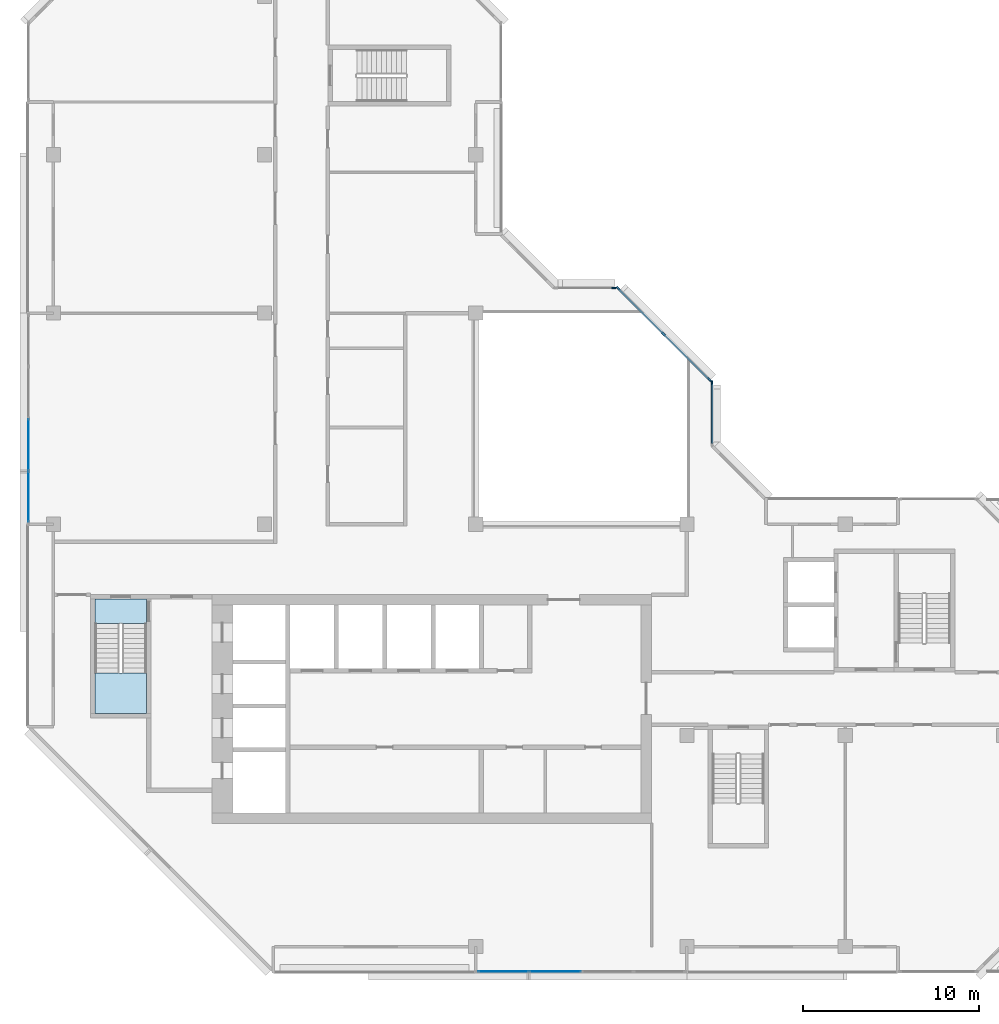
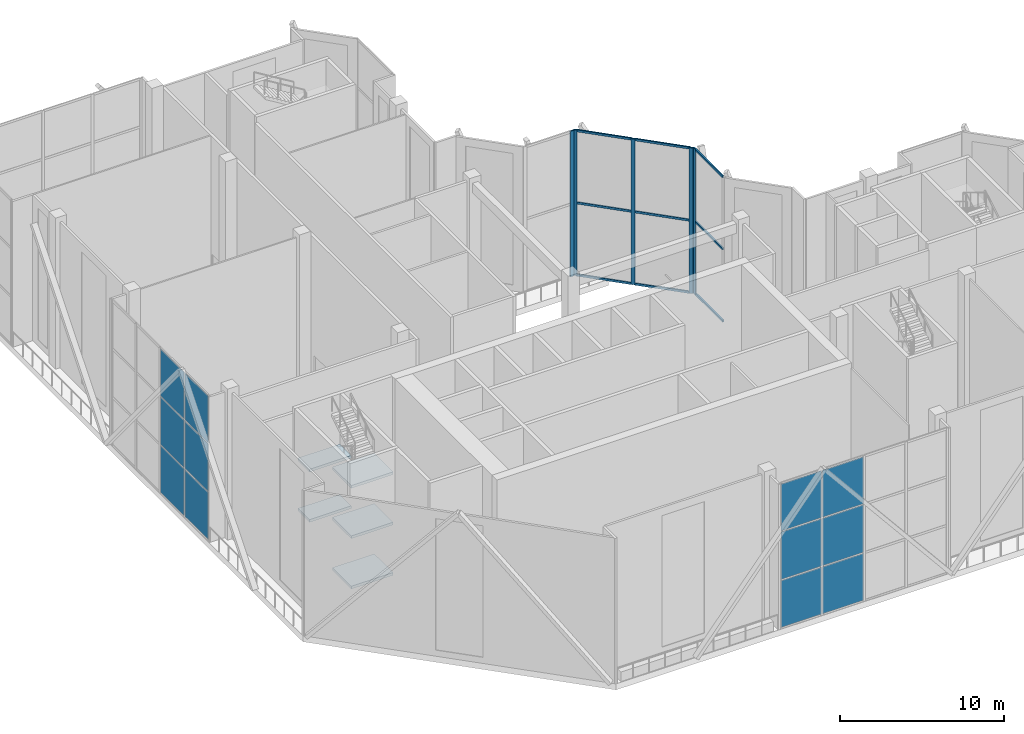
# One storey, part 6 of 16: 14 members, 12 plates, 5 slabs, 6 elements without a shape of their own.
"""IFC4 building model written with IfcOpenShell, lengths in metres."""

from ifc_helpers import new_model, si_unit, direction, frame, origin, origin_2d, place, context, subcontext, project, spatial, polyline, rectangle, outline, extrude, material, layer, layer_set, material_profile, profile_set, type_object, element, aggregate, save


model = new_model("IFC4")

# Units and contexts
model_context = context("Model", 3, precision=1e-05, world=origin(), true_north=direction((0.0, 1.0)))
body_context = subcontext(model_context, "Body", "Model", "MODEL_VIEW")
ifc_project = project(units=[si_unit("LENGTHUNIT", "METRE"), si_unit("AREAUNIT", "SQUARE_METRE"), si_unit("VOLUMEUNIT", "CUBIC_METRE"), si_unit("PLANEANGLEUNIT", "RADIAN"), si_unit("MASSUNIT", "GRAM", prefix="KILO")], contexts=[model_context])

# Site, building, storey
site_placement = place(None, origin())
site = spatial("IfcSite", under=ifc_project, at=site_placement, CompositionType="ELEMENT")
building_placement = place(site_placement, origin())
building = spatial("IfcBuilding", under=site, at=building_placement, Name="Chenar Terraces", CompositionType="ELEMENT")
storey_placement = place(building_placement, frame((0.0, 0.0, 327.64990234375)))
storey = spatial("IfcBuildingStorey", under=building, at=storey_placement, Name="L77", CompositionType="ELEMENT", Elevation=327.64990234375)

# Curtain wall, member
ifc_material_1 = material(Name="Aluminium framed glazing", Category="aluminium")
ifc_layer_1 = layer(ifc_material_1, 0.14990234375)
ifc_layer_set_1 = layer_set([ifc_layer_1], Name="Aluminium framed glazing")
curtain_wall_type_1 = type_object("IfcCurtainWallType", Name="Atrium upper-zone curtain wall", PredefinedType="NOTDEFINED", material=ifc_layer_set_1)
placement = place(storey_placement, origin())
curtain_wall_1 = element("IfcCurtainWall", 1, at=placement, inside=storey, type_object=curtain_wall_type_1, Name="Atrium upper-zone curtain wall", PredefinedType="NOTDEFINED")
ifc_material_2 = material(Name="Aluminium", Category="aluminium")
ifc_material_profile_1 = material_profile(ifc_material_2, rectangle(XDim=0.10009765625, YDim=0.239990234375, at=origin_2d()), Name="Atrium upper-zone glazing mullion 100 x 240")
ifc_profile_set_1 = profile_set([ifc_material_profile_1], Name="Aluminium")
member_type_1 = type_object("IfcMemberType", Name="Atrium upper-zone glazing mullion 100 x 240", PredefinedType="MULLION", material=ifc_profile_set_1)
member_1_placement = place(storey_placement, frame((37.425048828125, 32.050048828125, 0.0), z_axis=(0.0, 0.0, 1.0), x_axis=(-1.0, 0.0, 0.0)))
member_1 = element("IfcMember", 2, at=member_1_placement, type_object=member_type_1, Name="CW8-1 mullion 2", PredefinedType="MULLION", context=body_context, shape_type="SweptSolid", body=[
    extrude(rectangle(XDim=0.10009765625, YDim=0.239990234375, at=origin_2d()), origin(), (0.0, 0.0, 1.0), 10.85009765625),
])

# Curtain wall, members
curtain_wall_2 = element("IfcCurtainWall", 3, at=placement, inside=storey, type_object=curtain_wall_type_1, Name="Atrium upper-zone curtain wall", PredefinedType="NOTDEFINED")
member_2_placement = place(storey_placement, frame((37.270263671875, 32.2236328125, 0.0), z_axis=(0.0, 0.0, 1.0), x_axis=(-0.707106781187, -0.707106781187, 0.0)))
member_2 = element("IfcMember", 4, at=member_2_placement, type_object=member_type_1, Name="CW8-2 mullion 1", PredefinedType="MULLION", context=body_context, shape_type="SweptSolid", body=[
    extrude(rectangle(XDim=0.10009765625, YDim=0.239990234375, at=origin_2d()), origin(), (0.0, 0.0, 1.0), 10.85009765625),
])
member_3_placement = place(storey_placement, frame((34.67626953125, 34.817626953125, 0.0), z_axis=(0.0, 0.0, 1.0), x_axis=(-0.707106781187, -0.707106781187, 0.0)))
member_3 = element("IfcMember", 5, at=member_3_placement, type_object=member_type_1, Name="CW8-2 mullion 2", PredefinedType="MULLION", context=body_context, shape_type="SweptSolid", body=[
    extrude(rectangle(XDim=0.10009765625, YDim=0.239990234375, at=origin_2d()), origin(), (0.0, 0.0, 1.0), 10.85009765625),
])
member_4_placement = place(storey_placement, frame((32.082275390625, 37.41162109375, 0.0), z_axis=(0.0, 0.0, 1.0), x_axis=(-0.707106781187, -0.707106781187, 0.0)))
member_4 = element("IfcMember", 6, at=member_4_placement, type_object=member_type_1, Name="CW8-2 mullion 3", PredefinedType="MULLION", context=body_context, shape_type="SweptSolid", body=[
    extrude(rectangle(XDim=0.10009765625, YDim=0.239990234375, at=origin_2d()), origin(), (0.0, 0.0, 1.0), 10.85009765625),
])

# Curtain wall, member
curtain_wall_3 = element("IfcCurtainWall", 7, at=placement, inside=storey, type_object=curtain_wall_type_1, Name="Atrium upper-zone curtain wall", PredefinedType="NOTDEFINED")
member_5_placement = place(storey_placement, frame((31.85009765625, 37.425048828125, 0.0), z_axis=(0.0, 0.0, 1.0), x_axis=(0.0, -1.0, 0.0)))
member_5 = element("IfcMember", 8, at=member_5_placement, type_object=member_type_1, Name="CW8-3 mullion 1", PredefinedType="MULLION", context=body_context, shape_type="SweptSolid", body=[
    extrude(rectangle(XDim=0.10009765625, YDim=0.239990234375, at=origin_2d()), origin(), (0.0, 0.0, 1.0), 10.85009765625),
])
aggregate(curtain_wall_3, [member_5])

# Member
ifc_material_3 = material(Name="Aluminium", Category="aluminium")
ifc_material_profile_2 = material_profile(ifc_material_3, rectangle(XDim=0.10009765625, YDim=0.159912109375, at=origin_2d()), Name="Atrium upper-zone glazing transom 100 x 160")
ifc_profile_set_2 = profile_set([ifc_material_profile_2], Name="Aluminium")
member_type_2 = type_object("IfcMemberType", Name="Atrium upper-zone glazing transom 100 x 160", PredefinedType="USERDEFINED", material=ifc_profile_set_2)
member_6_placement = place(storey_placement, frame((37.425048828125, 28.60009765625, 0.050048828125), z_axis=(0.0, 1.0, 0.0), x_axis=(-1.0, 0.0, 0.0)))
member_6 = element("IfcMember", 9, at=member_6_placement, type_object=member_type_2, Name="CW8-1 transom 1.1", ObjectType="TRANSOM", PredefinedType="USERDEFINED", context=body_context, shape_type="SweptSolid", body=[
    extrude(rectangle(XDim=0.10009765625, YDim=0.159912109375, at=origin_2d()), origin(), (0.0, 0.0, 1.0), 3.39990234375),
])

member_7_placement = place(storey_placement, frame((37.425048828125, 28.60009765625, 5.425048828125), z_axis=(0.0, 1.0, 0.0), x_axis=(-1.0, 0.0, 0.0)))
member_7 = element("IfcMember", 10, at=member_7_placement, type_object=member_type_2, Name="CW8-1 transom 1.2", ObjectType="TRANSOM", PredefinedType="USERDEFINED", context=body_context, shape_type="SweptSolid", body=[
    extrude(rectangle(XDim=0.10009765625, YDim=0.159912109375, at=origin_2d()), origin(), (0.0, 0.0, 1.0), 3.39990234375),
])

member_8_placement = place(storey_placement, frame((37.425048828125, 28.60009765625, 10.800048828125), z_axis=(0.0, 1.0, 0.0), x_axis=(-1.0, 0.0, 0.0)))
member_8 = element("IfcMember", 11, at=member_8_placement, type_object=member_type_2, Name="CW8-1 transom 1.3", ObjectType="TRANSOM", PredefinedType="USERDEFINED", context=body_context, shape_type="SweptSolid", body=[
    extrude(rectangle(XDim=0.10009765625, YDim=0.159912109375, at=origin_2d()), origin(), (0.0, 0.0, 1.0), 3.39990234375),
])

aggregate(curtain_wall_1, [member_1, member_6, member_7, member_8])

member_9_placement = place(storey_placement, frame((37.23486328125, 32.259033203125, 0.050048828125), z_axis=(-0.707106781187, 0.707106781187, 0.0), x_axis=(-0.707106781187, -0.707106781187, 0.0)))
member_9 = element("IfcMember", 12, at=member_9_placement, type_object=member_type_2, Name="CW8-2 transom 1.1", ObjectType="TRANSOM", PredefinedType="USERDEFINED", context=body_context, shape_type="SweptSolid", body=[
    extrude(rectangle(XDim=0.10009765625, YDim=0.159912109375, at=origin_2d()), origin(), (0.0, 0.0, 1.0), 3.568359375),
])

member_10_placement = place(storey_placement, frame((37.23486328125, 32.259033203125, 5.425048828125), z_axis=(-0.707106781187, 0.707106781187, 0.0), x_axis=(-0.707106781187, -0.707106781187, 0.0)))
member_10 = element("IfcMember", 13, at=member_10_placement, type_object=member_type_2, Name="CW8-2 transom 1.2", ObjectType="TRANSOM", PredefinedType="USERDEFINED", context=body_context, shape_type="SweptSolid", body=[
    extrude(rectangle(XDim=0.10009765625, YDim=0.159912109375, at=origin_2d()), origin(), (0.0, 0.0, 1.0), 3.568359375),
])

member_11_placement = place(storey_placement, frame((37.23486328125, 32.259033203125, 10.800048828125), z_axis=(-0.707106781187, 0.707106781187, 0.0), x_axis=(-0.707106781187, -0.707106781187, 0.0)))
member_11 = element("IfcMember", 14, at=member_11_placement, type_object=member_type_2, Name="CW8-2 transom 1.3", ObjectType="TRANSOM", PredefinedType="USERDEFINED", context=body_context, shape_type="SweptSolid", body=[
    extrude(rectangle(XDim=0.10009765625, YDim=0.159912109375, at=origin_2d()), origin(), (0.0, 0.0, 1.0), 3.568359375),
])

member_12_placement = place(storey_placement, frame((34.640869140625, 34.85302734375, 0.050048828125), z_axis=(-0.707106781187, 0.707106781187, 0.0), x_axis=(-0.707106781187, -0.707106781187, 0.0)))
member_12 = element("IfcMember", 15, at=member_12_placement, type_object=member_type_2, Name="CW8-2 transom 2.1", ObjectType="TRANSOM", PredefinedType="USERDEFINED", context=body_context, shape_type="SweptSolid", body=[
    extrude(rectangle(XDim=0.10009765625, YDim=0.159912109375, at=origin_2d()), origin(), (0.0, 0.0, 1.0), 3.568359375),
])

member_13_placement = place(storey_placement, frame((34.640869140625, 34.85302734375, 5.425048828125), z_axis=(-0.707106781187, 0.707106781187, 0.0), x_axis=(-0.707106781187, -0.707106781187, 0.0)))
member_13 = element("IfcMember", 16, at=member_13_placement, type_object=member_type_2, Name="CW8-2 transom 2.2", ObjectType="TRANSOM", PredefinedType="USERDEFINED", context=body_context, shape_type="SweptSolid", body=[
    extrude(rectangle(XDim=0.10009765625, YDim=0.159912109375, at=origin_2d()), origin(), (0.0, 0.0, 1.0), 3.568359375),
])

member_14_placement = place(storey_placement, frame((34.640869140625, 34.85302734375, 10.800048828125), z_axis=(-0.707106781187, 0.707106781187, 0.0), x_axis=(-0.707106781187, -0.707106781187, 0.0)))
member_14 = element("IfcMember", 17, at=member_14_placement, type_object=member_type_2, Name="CW8-2 transom 2.3", ObjectType="TRANSOM", PredefinedType="USERDEFINED", context=body_context, shape_type="SweptSolid", body=[
    extrude(rectangle(XDim=0.10009765625, YDim=0.159912109375, at=origin_2d()), origin(), (0.0, 0.0, 1.0), 3.568359375),
])

aggregate(curtain_wall_2, [member_2, member_3, member_4, member_9, member_10, member_11, member_12, member_13, member_14])

# Stair, slabs
ifc_material_4 = material(Name="Reinforced concrete C40/50", Category="concrete")
stair_type = type_object("IfcStairType", Name="Core stair 1400 half-turn", PredefinedType="HALF_TURN_STAIR", material=ifc_material_4)
stair = element("IfcStair", 18, at=placement, inside=storey, type_object=stair_type, Name="L77 Stair 1", PredefinedType="HALF_TURN_STAIR")
ifc_material_5 = material(Name="Reinforced concrete C40/50", Category="concrete")
ifc_layer_2 = layer(ifc_material_5, 0.199951171875)
ifc_layer_set_2 = layer_set([ifc_layer_2], Name="Reinforced concrete C40/50")
slab_type = type_object("IfcSlabType", Name="Core stair landing 200", PredefinedType="LANDING", material=ifc_layer_set_2)
slab_1_placement = place(storey_placement, frame((0.0, 0.0, 1.675048828125)))
slab_1 = element("IfcSlab", 19, at=slab_1_placement, type_object=slab_type, Name="ST1 landing 1", PredefinedType="LANDING", context=body_context, shape_type="SweptSolid", body=[
    extrude(outline(polyline([(2.35009765625, 15.550048828125), (2.35009765625, 13.25), (5.300048828125, 13.25), (5.300048828125, 15.550048828125), (2.35009765625, 15.550048828125)])), origin(), (0.0, 0.0, 1.0), 0.199951171875),
])
slab_2_placement = place(storey_placement, frame((0.0, 0.0, 3.550048828125)))
slab_2 = element("IfcSlab", 20, at=slab_2_placement, type_object=slab_type, Name="ST1 landing 2", PredefinedType="LANDING", context=body_context, shape_type="SweptSolid", body=[
    extrude(outline(polyline([(2.35009765625, 19.75), (2.35009765625, 18.35009765625), (5.300048828125, 18.35009765625), (5.300048828125, 19.75), (2.35009765625, 19.75)])), origin(), (0.0, 0.0, 1.0), 0.199951171875),
])
slab_3_placement = place(storey_placement, frame((0.0, 0.0, 5.425048828125)))
slab_3 = element("IfcSlab", 21, at=slab_3_placement, type_object=slab_type, Name="ST1 landing 3", PredefinedType="LANDING", context=body_context, shape_type="SweptSolid", body=[
    extrude(outline(polyline([(2.35009765625, 15.550048828125), (2.35009765625, 13.25), (5.300048828125, 13.25), (5.300048828125, 15.550048828125), (2.35009765625, 15.550048828125)])), origin(), (0.0, 0.0, 1.0), 0.199951171875),
])
slab_4_placement = place(storey_placement, frame((0.0, 0.0, 7.300048828125)))
slab_4 = element("IfcSlab", 22, at=slab_4_placement, type_object=slab_type, Name="ST1 landing 4", PredefinedType="LANDING", context=body_context, shape_type="SweptSolid", body=[
    extrude(outline(polyline([(2.35009765625, 19.75), (2.35009765625, 18.35009765625), (5.300048828125, 18.35009765625), (5.300048828125, 19.75), (2.35009765625, 19.75)])), origin(), (0.0, 0.0, 1.0), 0.199951171875),
])
slab_5_placement = place(storey_placement, frame((0.0, 0.0, 9.175048828125)))
slab_5 = element("IfcSlab", 23, at=slab_5_placement, type_object=slab_type, Name="ST1 landing 5", PredefinedType="LANDING", context=body_context, shape_type="SweptSolid", body=[
    extrude(outline(polyline([(2.35009765625, 15.550048828125), (2.35009765625, 13.25), (5.300048828125, 13.25), (5.300048828125, 15.550048828125), (2.35009765625, 15.550048828125)])), origin(), (0.0, 0.0, 1.0), 0.199951171875),
])
aggregate(stair, [slab_1, slab_2, slab_3, slab_4, slab_5])

# Curtain wall, plates
ifc_material_6 = material(Name="Aluminium framed glazing", Category="aluminium")
ifc_layer_3 = layer(ifc_material_6, 0.14990234375)
ifc_layer_set_3 = layer_set([ifc_layer_3], Name="Aluminium framed glazing")
curtain_wall_type_2 = type_object("IfcCurtainWallType", Name="Sky garden curtain wall", PredefinedType="NOTDEFINED", material=ifc_layer_set_3)
curtain_wall_4 = element("IfcCurtainWall", 24, at=placement, inside=storey, type_object=curtain_wall_type_2, Name="Sky garden curtain wall", PredefinedType="NOTDEFINED")
ifc_material_7 = material(Name="Low emissivity laminated glass, solar control coating", Category="glass")
ifc_layer_4 = layer(ifc_material_7, 0.031982421875)
ifc_layer_set_4 = layer_set([ifc_layer_4], Name="Low emissivity laminated glass, solar control coating")
plate_type = type_object("IfcPlateType", Name="Sky garden glazing panel 32", PredefinedType="CURTAIN_PANEL", material=ifc_layer_set_4)
plate_1_placement = place(storey_placement, frame((-1.425048828125, 28.518798828125, 0.080078125), z_axis=(0.0, 0.0, 1.0), x_axis=(0.0, -1.0, 0.0)))
plate_1 = element("IfcPlate", 25, at=plate_1_placement, type_object=plate_type, Name="CW3-05 panel 3.1", PredefinedType="CURTAIN_PANEL", context=body_context, shape_type="SweptSolid", body=[
    extrude(rectangle(XDim=2.882568359375, YDim=0.028076171875, at=origin_2d()), origin(), (0.0, 0.0, 1.0), 3.4970703125),
])
plate_2_placement = place(storey_placement, frame((-1.425048828125, 28.518798828125, 3.6572265625), z_axis=(0.0, 0.0, 1.0), x_axis=(0.0, -1.0, 0.0)))
plate_2 = element("IfcPlate", 26, at=plate_2_placement, type_object=plate_type, Name="CW3-05 panel 3.2", PredefinedType="CURTAIN_PANEL", context=body_context, shape_type="SweptSolid", body=[
    extrude(rectangle(XDim=2.882568359375, YDim=0.028076171875, at=origin_2d()), origin(), (0.0, 0.0, 1.0), 3.535888671875),
])
plate_3_placement = place(storey_placement, frame((-1.425048828125, 28.518798828125, 7.27294921875), z_axis=(0.0, 0.0, 1.0), x_axis=(0.0, -1.0, 0.0)))
plate_3 = element("IfcPlate", 27, at=plate_3_placement, type_object=plate_type, Name="CW3-05 panel 3.3", PredefinedType="CURTAIN_PANEL", context=body_context, shape_type="SweptSolid", body=[
    extrude(rectangle(XDim=2.882568359375, YDim=0.028076171875, at=origin_2d()), origin(), (0.0, 0.0, 1.0), 3.4970703125),
])
plate_4_placement = place(storey_placement, frame((-1.425048828125, 25.576171875, 0.080078125), z_axis=(0.0, 0.0, 1.0), x_axis=(0.0, -1.0, 0.0)))
plate_4 = element("IfcPlate", 28, at=plate_4_placement, type_object=plate_type, Name="CW3-05 panel 4.1", PredefinedType="CURTAIN_PANEL", context=body_context, shape_type="SweptSolid", body=[
    extrude(rectangle(XDim=2.842529296875, YDim=0.028076171875, at=origin_2d()), origin(), (0.0, 0.0, 1.0), 3.4970703125),
])
plate_5_placement = place(storey_placement, frame((-1.425048828125, 25.576171875, 3.6572265625), z_axis=(0.0, 0.0, 1.0), x_axis=(0.0, -1.0, 0.0)))
plate_5 = element("IfcPlate", 29, at=plate_5_placement, type_object=plate_type, Name="CW3-05 panel 4.2", PredefinedType="CURTAIN_PANEL", context=body_context, shape_type="SweptSolid", body=[
    extrude(rectangle(XDim=2.842529296875, YDim=0.028076171875, at=origin_2d()), origin(), (0.0, 0.0, 1.0), 3.535888671875),
])
plate_6_placement = place(storey_placement, frame((-1.425048828125, 25.576171875, 7.27294921875), z_axis=(0.0, 0.0, 1.0), x_axis=(0.0, -1.0, 0.0)))
plate_6 = element("IfcPlate", 30, at=plate_6_placement, type_object=plate_type, Name="CW3-05 panel 4.3", PredefinedType="CURTAIN_PANEL", context=body_context, shape_type="SweptSolid", body=[
    extrude(rectangle(XDim=2.842529296875, YDim=0.028076171875, at=origin_2d()), origin(), (0.0, 0.0, 1.0), 3.4970703125),
])
aggregate(curtain_wall_4, [plate_1, plate_2, plate_3, plate_4, plate_5, plate_6])

curtain_wall_5 = element("IfcCurtainWall", 31, at=placement, inside=storey, type_object=curtain_wall_type_2, Name="Sky garden curtain wall", PredefinedType="NOTDEFINED")
plate_7_placement = place(storey_placement, frame((25.576171875, -1.425048828125, 0.080078125), z_axis=(0.0, 0.0, 1.0), x_axis=(1.0, 0.0, 0.0)))
plate_7 = element("IfcPlate", 32, at=plate_7_placement, type_object=plate_type, Name="CW3-06 panel 1.1", PredefinedType="CURTAIN_PANEL", context=body_context, shape_type="SweptSolid", body=[
    extrude(rectangle(XDim=2.842529296875, YDim=0.028076171875, at=origin_2d()), origin(), (0.0, 0.0, 1.0), 3.4970703125),
])
plate_8_placement = place(storey_placement, frame((25.576171875, -1.425048828125, 3.6572265625), z_axis=(0.0, 0.0, 1.0), x_axis=(1.0, 0.0, 0.0)))
plate_8 = element("IfcPlate", 33, at=plate_8_placement, type_object=plate_type, Name="CW3-06 panel 1.2", PredefinedType="CURTAIN_PANEL", context=body_context, shape_type="SweptSolid", body=[
    extrude(rectangle(XDim=2.842529296875, YDim=0.028076171875, at=origin_2d()), origin(), (0.0, 0.0, 1.0), 3.535888671875),
])
plate_9_placement = place(storey_placement, frame((25.576171875, -1.425048828125, 7.27294921875), z_axis=(0.0, 0.0, 1.0), x_axis=(1.0, 0.0, 0.0)))
plate_9 = element("IfcPlate", 34, at=plate_9_placement, type_object=plate_type, Name="CW3-06 panel 1.3", PredefinedType="CURTAIN_PANEL", context=body_context, shape_type="SweptSolid", body=[
    extrude(rectangle(XDim=2.842529296875, YDim=0.028076171875, at=origin_2d()), origin(), (0.0, 0.0, 1.0), 3.4970703125),
])
plate_10_placement = place(storey_placement, frame((28.518798828125, -1.425048828125, 0.080078125), z_axis=(0.0, 0.0, 1.0), x_axis=(1.0, 0.0, 0.0)))
plate_10 = element("IfcPlate", 35, at=plate_10_placement, type_object=plate_type, Name="CW3-06 panel 2.1", PredefinedType="CURTAIN_PANEL", context=body_context, shape_type="SweptSolid", body=[
    extrude(rectangle(XDim=2.882568359375, YDim=0.028076171875, at=origin_2d()), origin(), (0.0, 0.0, 1.0), 3.4970703125),
])
plate_11_placement = place(storey_placement, frame((28.518798828125, -1.425048828125, 3.6572265625), z_axis=(0.0, 0.0, 1.0), x_axis=(1.0, 0.0, 0.0)))
plate_11 = element("IfcPlate", 36, at=plate_11_placement, type_object=plate_type, Name="CW3-06 panel 2.2", PredefinedType="CURTAIN_PANEL", context=body_context, shape_type="SweptSolid", body=[
    extrude(rectangle(XDim=2.882568359375, YDim=0.028076171875, at=origin_2d()), origin(), (0.0, 0.0, 1.0), 3.535888671875),
])
plate_12_placement = place(storey_placement, frame((28.518798828125, -1.425048828125, 7.27294921875), z_axis=(0.0, 0.0, 1.0), x_axis=(1.0, 0.0, 0.0)))
plate_12 = element("IfcPlate", 37, at=plate_12_placement, type_object=plate_type, Name="CW3-06 panel 2.3", PredefinedType="CURTAIN_PANEL", context=body_context, shape_type="SweptSolid", body=[
    extrude(rectangle(XDim=2.882568359375, YDim=0.028076171875, at=origin_2d()), origin(), (0.0, 0.0, 1.0), 3.4970703125),
])
aggregate(curtain_wall_5, [plate_7, plate_8, plate_9, plate_10, plate_11, plate_12])

save(model, "model.ifc")
